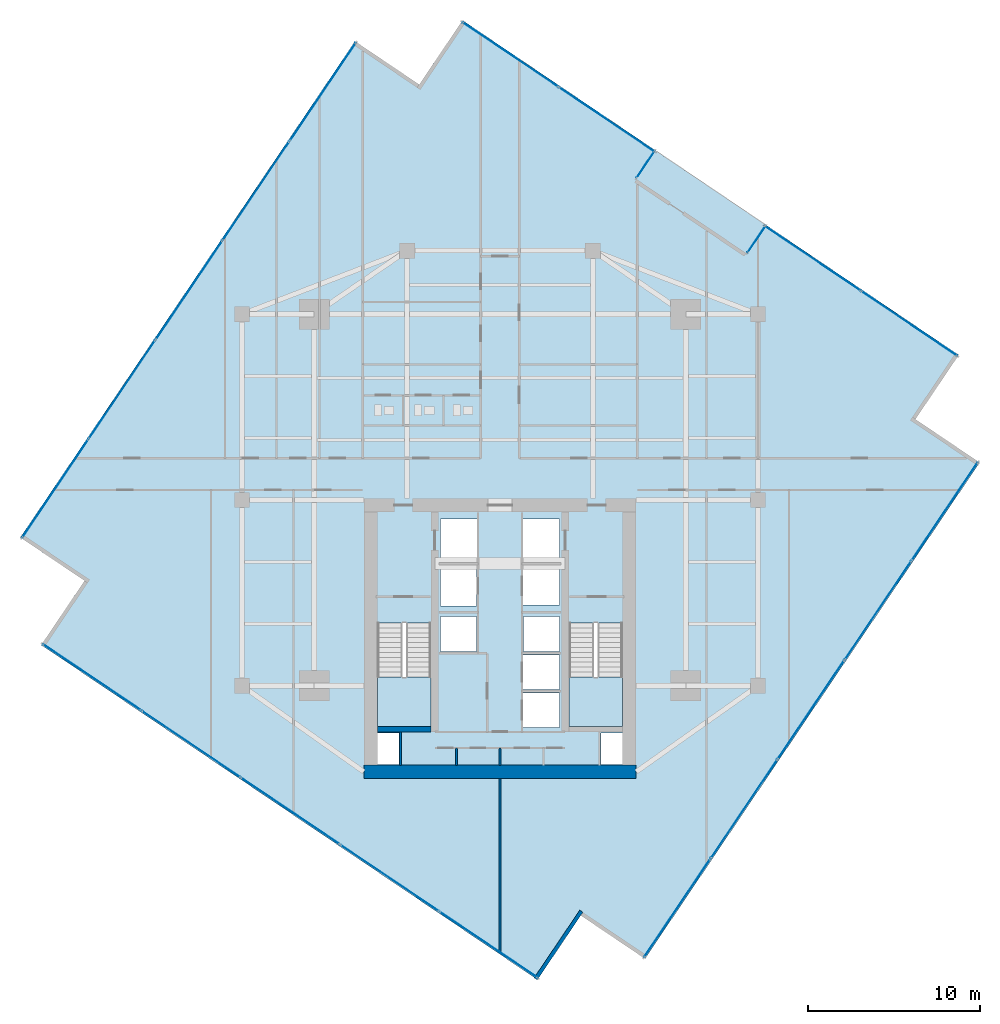
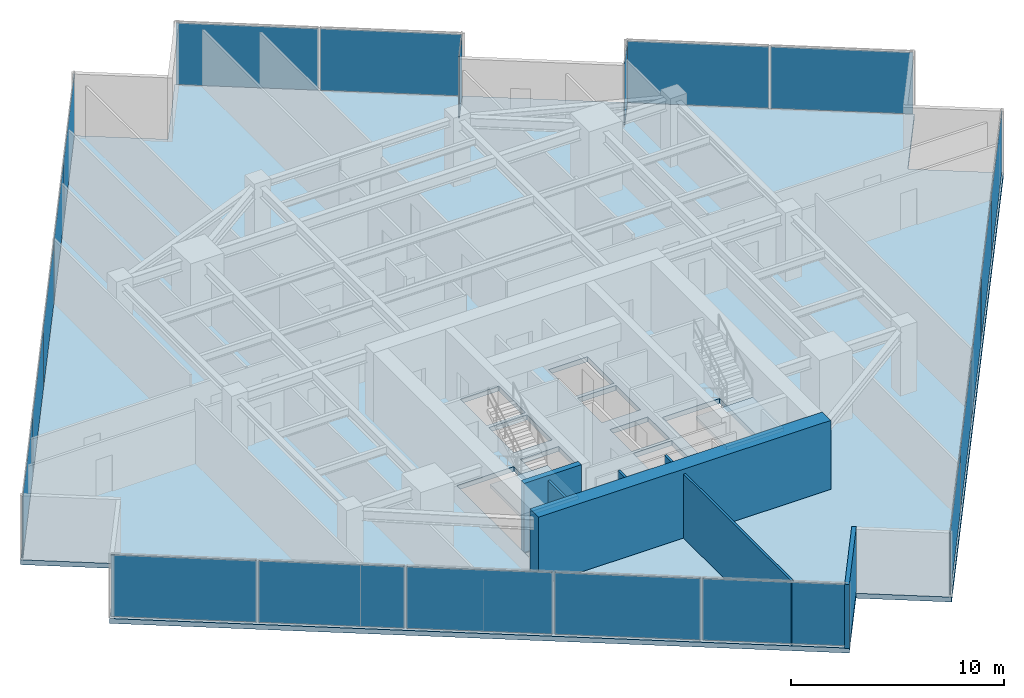
# One storey, part 22 of 27: 21 plates, 7 walls, 3 slabs, 9 elements without a shape of their own.
"""IFC4 building model written with IfcOpenShell, lengths in metres."""

from ifc_helpers import new_model, si_unit, direction, frame, frame_2d, origin, origin_2d, place, context, subcontext, project, spatial, polyline, rectangle, outline, extrude, source, transform, mapped, material, layer, layer_set, type_object, type_shapes, element, aggregate, save


model = new_model("IFC4")

# Units and contexts
model_context = context("Model", 3, precision=1e-05, world=origin(), true_north=direction((0.0, 1.0)))
body_context = subcontext(model_context, "Body", "Model", "MODEL_VIEW")
ifc_project = project(units=[si_unit("LENGTHUNIT", "METRE"), si_unit("AREAUNIT", "SQUARE_METRE"), si_unit("VOLUMEUNIT", "CUBIC_METRE"), si_unit("PLANEANGLEUNIT", "RADIAN"), si_unit("MASSUNIT", "GRAM", prefix="KILO")], contexts=[model_context])

# Site, building, storey
site_placement = place(None, origin())
site = spatial("IfcSite", under=ifc_project, at=site_placement, CompositionType="ELEMENT")
building_placement = place(site_placement, origin())
building = spatial("IfcBuilding", under=site, at=building_placement, Name="Krantzveldt Concourse Tower", CompositionType="ELEMENT")
storey_placement = place(building_placement, frame((0.0, 0.0, 189.64990234375)))
storey = spatial("IfcBuildingStorey", under=building, at=storey_placement, Name="L46", CompositionType="ELEMENT", Elevation=189.64990234375)

# Stair, slab
ifc_material_1 = material(Name="Precast concrete C40/50", Category="concrete")
stair_type = type_object("IfcStairType", Name="STR-CORE-DOGLEG", PredefinedType="HALF_TURN_STAIR", material=ifc_material_1)
stair_1_placement = place(storey_placement, origin())
stair_1 = element("IfcStair", 1, at=stair_1_placement, inside=storey, type_object=stair_type, Name="L46 Protected Escape Stair ST-1", PredefinedType="HALF_TURN_STAIR")
ifc_layer_1 = layer(ifc_material_1, 0.199951171875, Name="Precast concrete C40/50", Category="concrete")
ifc_layer_set_1 = layer_set([ifc_layer_1], Name="Precast concrete C40/50 (SL-LANDING-200)")
slab_type_1 = type_object("IfcSlabType", Name="SL-LANDING-200", PredefinedType="LANDING", material=ifc_layer_set_1)
slab_1_placement = place(storey_placement, frame((0.0, 0.0, 1.775146484375)))
slab_1 = element("IfcSlab", 2, at=slab_1_placement, type_object=slab_type_1, Name="ST-1 landing 1", PredefinedType="LANDING", context=body_context, shape_type="SweptSolid", body=[
    extrude(outline(polyline([(28.8798828125, 16.4150390625), (28.8798828125, 13.52001953125), (31.97998046875, 13.52001953125), (31.97998046875, 16.4150390625), (28.8798828125, 16.4150390625)])), origin(), (0.0, 0.0, 1.0), 0.199951171875),
])
aggregate(stair_1, [slab_1])

stair_2_placement = place(storey_placement, origin())
stair_2 = element("IfcStair", 3, at=stair_2_placement, inside=storey, type_object=stair_type, Name="L46 Protected Escape Stair ST-2", PredefinedType="HALF_TURN_STAIR")
slab_2_placement = place(storey_placement, frame((0.0, 0.0, 1.775146484375)))
slab_2 = element("IfcSlab", 4, at=slab_2_placement, type_object=slab_type_1, Name="ST-2 landing 1", PredefinedType="LANDING", context=body_context, shape_type="SweptSolid", body=[
    extrude(outline(polyline([(40.02001953125, 16.4150390625), (40.02001953125, 13.52001953125), (43.1201171875, 13.52001953125), (43.1201171875, 16.4150390625), (40.02001953125, 16.4150390625)])), origin(), (0.0, 0.0, 1.0), 0.199951171875),
])
aggregate(stair_2, [slab_2])

# Slab
ifc_material_2 = material(Name="Concrete C40/50", Category="concrete")
ifc_layer_2 = layer(ifc_material_2, 0.280029296875, Name="Concrete C40/50", Category="concrete")
ifc_layer_set_2 = layer_set([ifc_layer_2], Name="Concrete C40/50 (SL-SL-TER280)")
slab_type_2 = type_object("IfcSlabType", Name="SL-SL-TER280", PredefinedType="FLOOR", material=ifc_layer_set_2)
slab_3_placement = place(storey_placement, frame((0.0, 0.0, -0.27978515625)))
element("IfcSlab", 5, at=slab_3_placement, inside=storey, type_object=slab_type_2, Name="SL-L46-MAIN", PredefinedType="FLOOR", context=body_context, shape_type="SweptSolid", body=[
    extrude(outline(polyline([(31.3046875, 50.855224609375), (27.573974609375, 53.37158203125), (8.114013671875, 24.52099609375), (11.8447265625, 22.004638671875), (9.328369140625, 18.27392578125), (38.178955078125, -1.185791015625), (40.6953125, 2.544677734375), (44.426025390625, 0.0283203125), (63.885986328125, 28.87890625), (60.1552734375, 31.395263671875), (62.671630859375, 35.1259765625), (33.821044921875, 54.5859375), (31.3046875, 50.855224609375)]), holes=[polyline([(28.8798828125, 19.547607421875), (28.8798828125, 13.52001953125), (31.97998046875, 13.52001953125), (31.97998046875, 19.547607421875), (28.8798828125, 19.547607421875)]), polyline([(40.02001953125, 19.547607421875), (40.02001953125, 13.52001953125), (43.1201171875, 13.52001953125), (43.1201171875, 19.547607421875), (40.02001953125, 19.547607421875)]), polyline([(32.550048828125, 23.10009765625), (34.64990234375, 23.10009765625), (34.64990234375, 25.60009765625), (32.550048828125, 25.60009765625), (32.550048828125, 23.10009765625)]), polyline([(37.35009765625, 23.10009765625), (39.449951171875, 23.10009765625), (39.449951171875, 25.60009765625), (37.35009765625, 25.60009765625), (37.35009765625, 23.10009765625)]), polyline([(37.35009765625, 20.60009765625), (39.449951171875, 20.60009765625), (39.449951171875, 22.89990234375), (37.35009765625, 22.89990234375), (37.35009765625, 20.60009765625)]), polyline([(37.35009765625, 13.47998046875), (39.449951171875, 13.47998046875), (39.449951171875, 15.47998046875), (37.35009765625, 15.47998046875), (37.35009765625, 13.47998046875)]), polyline([(37.35009765625, 15.679931640625), (39.449951171875, 15.679931640625), (39.449951171875, 17.679931640625), (37.35009765625, 17.679931640625), (37.35009765625, 15.679931640625)]), polyline([(32.550048828125, 20.550048828125), (34.6201171875, 20.550048828125), (34.6201171875, 22.89990234375), (32.550048828125, 22.89990234375), (32.550048828125, 20.550048828125)]), polyline([(32.550048828125, 17.8798828125), (34.6201171875, 17.8798828125), (34.6201171875, 19.919921875), (32.550048828125, 19.919921875), (32.550048828125, 17.8798828125)]), polyline([(37.3798828125, 17.8798828125), (39.449951171875, 17.8798828125), (39.449951171875, 19.919921875), (37.3798828125, 19.919921875), (37.3798828125, 17.8798828125)]), polyline([(28.8798828125, 11.320068359375), (30.139892578125, 11.320068359375), (30.139892578125, 13.159912109375), (28.8798828125, 13.159912109375), (28.8798828125, 11.320068359375)]), polyline([(41.860107421875, 11.320068359375), (43.1201171875, 11.320068359375), (43.1201171875, 13.159912109375), (41.860107421875, 13.159912109375), (41.860107421875, 11.320068359375)])]), origin(), (0.0, 0.0, 1.0), 0.27978515625),
])

# Curtain wall, plate
ifc_material_3 = material(Name="Anodised aluminium 6063-T6", Category="aluminium")
curtain_wall_type_1 = type_object("IfcCurtainWallType", Name="CW6", PredefinedType="USERDEFINED", material=ifc_material_3)
curtain_wall_1_placement = place(storey_placement, origin())
curtain_wall_1 = element("IfcCurtainWall", 6, at=curtain_wall_1_placement, inside=storey, type_object=curtain_wall_type_1, Name="CW-L46-TR11", ObjectType="UNITISED CURTAIN WALL", PredefinedType="USERDEFINED")
ifc_material_4 = material(Name="Bronze-tinted laminated low-E IGU glass", Category="glass")
ifc_layer_3 = layer(ifc_material_4, 0.031982421875, Name="Bronze-tinted laminated low-E IGU glass", Category="glass")
ifc_layer_set_3 = layer_set([ifc_layer_3], Name="Bronze-tinted laminated low-E IGU glass (CW-GLZ-32)")
plate_type = type_object("IfcPlateType", Name="CW-GLZ-32", PredefinedType="CURTAIN_PANEL", material=ifc_layer_set_3)
shared_shape_1 = source(origin(), body_context, "Body", "SweptSolid", [
    extrude(rectangle(XDim=1.860107421875, YDim=0.031982421875, at=origin_2d()), origin(), (0.0, 0.0, 1.0), 3.530029296875),
])
plate_1_placement = place(storey_placement, frame((50.912109375, 41.8515625, 0.0703125), z_axis=(0.0, 0.0, 1.0), x_axis=(-0.559193219078, -0.829037359675, 0.0)))
plate_1 = element("IfcPlate", 7, at=plate_1_placement, type_object=plate_type, Name="CW-TERR panel 1.1", PredefinedType="CURTAIN_PANEL", context=body_context, shape_type="MappedRepresentation", body=[
    mapped(shared_shape_1, transform((0.0, 0.0, 0.0), x_axis=(1.0, 0.0, 0.0), y_axis=(0.0, 1.0, 0.0), z_axis=(0.0, 0.0, 1.0), scale=1.0)),
])
aggregate(curtain_wall_1, [plate_1])

curtain_wall_2_placement = place(storey_placement, origin())
curtain_wall_2 = element("IfcCurtainWall", 8, at=curtain_wall_2_placement, inside=storey, type_object=curtain_wall_type_1, Name="CW-L46-TR13", ObjectType="UNITISED CURTAIN WALL", PredefinedType="USERDEFINED")
plate_2_placement = place(storey_placement, frame((44.462158203125, 46.2021484375, 0.0703125), z_axis=(0.0, 0.0, 1.0), x_axis=(0.559189782554, 0.829039677631, 0.0)))
plate_2 = element("IfcPlate", 9, at=plate_2_placement, type_object=plate_type, Name="CW-TERR panel 1.1", PredefinedType="CURTAIN_PANEL", context=body_context, shape_type="MappedRepresentation", body=[
    mapped(shared_shape_1, transform((0.0, 0.0, 0.0), x_axis=(1.0, 0.0, 0.0), y_axis=(0.0, 1.0, 0.0), z_axis=(0.0, 0.0, 1.0), scale=1.0)),
])
aggregate(curtain_wall_2, [plate_2])

# Curtain wall, plates
curtain_wall_type_2 = type_object("IfcCurtainWallType", Name="CW3", PredefinedType="USERDEFINED", material=ifc_material_3)
curtain_wall_3_placement = place(storey_placement, origin())
curtain_wall_3 = element("IfcCurtainWall", 10, at=curtain_wall_3_placement, inside=storey, type_object=curtain_wall_type_2, Name="CW-L46-F01", ObjectType="UNITISED CURTAIN WALL", PredefinedType="USERDEFINED")
shared_shape_2 = source(origin(), body_context, "Body", "SweptSolid", [
    extrude(rectangle(XDim=6.85498046875, YDim=0.031982421875, at=origin_2d()), origin(), (0.0, 0.0, 1.0), 3.530029296875),
])
plate_3_placement = place(storey_placement, frame((25.69287109375, 50.421630859375, 0.0703125), z_axis=(0.0, 0.0, 1.0), x_axis=(-0.559192810447, -0.829037635301, 0.0)))
plate_3 = element("IfcPlate", 11, at=plate_3_placement, type_object=plate_type, Name="CW-Z34 panel 1.1", PredefinedType="CURTAIN_PANEL", context=body_context, shape_type="MappedRepresentation", body=[
    mapped(shared_shape_2, transform((0.0, 0.0, 0.0), x_axis=(1.0, 0.0, 0.0), y_axis=(0.0, 1.0, 0.0), z_axis=(0.0, 0.0, 1.0), scale=1.0)),
])
plate_4_placement = place(storey_placement, frame((10.14453125, 27.370361328125, 0.0703125), z_axis=(0.0, 0.0, 1.0), x_axis=(-0.559192810447, -0.829037635301, 0.0)))
plate_4 = element("IfcPlate", 12, at=plate_4_placement, type_object=plate_type, Name="CW-Z34 panel 5.1", PredefinedType="CURTAIN_PANEL", context=body_context, shape_type="MappedRepresentation", body=[
    mapped(shared_shape_2, transform((0.0, 0.0, 0.0), x_axis=(1.0, 0.0, 0.0), y_axis=(0.0, 1.0, 0.0), z_axis=(0.0, 0.0, 1.0), scale=1.0)),
])

curtain_wall_4_placement = place(storey_placement, origin())
curtain_wall_4 = element("IfcCurtainWall", 13, at=curtain_wall_4_placement, inside=storey, type_object=curtain_wall_type_2, Name="CW-L46-F04", ObjectType="UNITISED CURTAIN WALL", PredefinedType="USERDEFINED")
plate_5_placement = place(storey_placement, frame((12.2783203125, 16.392822265625, 0.0703125), z_axis=(0.0, 0.0, 1.0), x_axis=(0.829037635301, -0.559192810447, 0.0)))
plate_5 = element("IfcPlate", 14, at=plate_5_placement, type_object=plate_type, Name="CW-Z34 panel 1.1", PredefinedType="CURTAIN_PANEL", context=body_context, shape_type="MappedRepresentation", body=[
    mapped(shared_shape_2, transform((0.0, 0.0, 0.0), x_axis=(1.0, 0.0, 0.0), y_axis=(0.0, 1.0, 0.0), z_axis=(0.0, 0.0, 1.0), scale=1.0)),
])
plate_6_placement = place(storey_placement, frame((35.32958984375, 0.844482421875, 0.0703125), z_axis=(0.0, 0.0, 1.0), x_axis=(0.829037635301, -0.559192810447, 0.0)))
plate_6 = element("IfcPlate", 15, at=plate_6_placement, type_object=plate_type, Name="CW-Z34 panel 5.1", PredefinedType="CURTAIN_PANEL", context=body_context, shape_type="MappedRepresentation", body=[
    mapped(shared_shape_2, transform((0.0, 0.0, 0.0), x_axis=(1.0, 0.0, 0.0), y_axis=(0.0, 1.0, 0.0), z_axis=(0.0, 0.0, 1.0), scale=1.0)),
])

curtain_wall_5_placement = place(storey_placement, origin())
curtain_wall_5 = element("IfcCurtainWall", 16, at=curtain_wall_5_placement, inside=storey, type_object=curtain_wall_type_2, Name="CW-L46-F07", ObjectType="UNITISED CURTAIN WALL", PredefinedType="USERDEFINED")
plate_7_placement = place(storey_placement, frame((46.30712890625, 2.978271484375, 0.0703125), z_axis=(0.0, 0.0, 1.0), x_axis=(0.559192810447, 0.829037635301, 0.0)))
plate_7 = element("IfcPlate", 17, at=plate_7_placement, type_object=plate_type, Name="CW-Z34 panel 1.1", PredefinedType="CURTAIN_PANEL", context=body_context, shape_type="MappedRepresentation", body=[
    mapped(shared_shape_2, transform((0.0, 0.0, 0.0), x_axis=(1.0, 0.0, 0.0), y_axis=(0.0, 1.0, 0.0), z_axis=(0.0, 0.0, 1.0), scale=1.0)),
])
plate_8_placement = place(storey_placement, frame((61.85546875, 26.02978515625, 0.0703125), z_axis=(0.0, 0.0, 1.0), x_axis=(0.559192810447, 0.829037635301, 0.0)))
plate_8 = element("IfcPlate", 18, at=plate_8_placement, type_object=plate_type, Name="CW-Z34 panel 5.1", PredefinedType="CURTAIN_PANEL", context=body_context, shape_type="MappedRepresentation", body=[
    mapped(shared_shape_2, transform((0.0, 0.0, 0.0), x_axis=(1.0, 0.0, 0.0), y_axis=(0.0, 1.0, 0.0), z_axis=(0.0, 0.0, 1.0), scale=1.0)),
])

# Plate
shared_shape_3 = source(origin(), body_context, "Body", "SweptSolid", [
    extrude(rectangle(XDim=6.889892578125, YDim=0.031982421875, at=origin_2d()), origin(), (0.0, 0.0, 1.0), 3.530029296875),
])
plate_9_placement = place(storey_placement, frame((21.810546875, 44.666015625, 0.0703125), z_axis=(0.0, 0.0, 1.0), x_axis=(-0.559192810447, -0.829037635301, 0.0)))
plate_9 = element("IfcPlate", 19, at=plate_9_placement, type_object=plate_type, Name="CW-Z34 panel 2.1", PredefinedType="CURTAIN_PANEL", context=body_context, shape_type="MappedRepresentation", body=[
    mapped(shared_shape_3, transform((0.0, 0.0, 0.0), x_axis=(1.0, 0.0, 0.0), y_axis=(0.0, 1.0, 0.0), z_axis=(0.0, 0.0, 1.0), scale=1.0)),
])

plate_10_placement = place(storey_placement, frame((17.918701171875, 38.89599609375, 0.0703125), z_axis=(0.0, 0.0, 1.0), x_axis=(-0.559192810447, -0.829037635301, 0.0)))
plate_10 = element("IfcPlate", 20, at=plate_10_placement, type_object=plate_type, Name="CW-Z34 panel 3.1", PredefinedType="CURTAIN_PANEL", context=body_context, shape_type="MappedRepresentation", body=[
    mapped(shared_shape_3, transform((0.0, 0.0, 0.0), x_axis=(1.0, 0.0, 0.0), y_axis=(0.0, 1.0, 0.0), z_axis=(0.0, 0.0, 1.0), scale=1.0)),
])

plate_11_placement = place(storey_placement, frame((14.026611328125, 33.1259765625, 0.0703125), z_axis=(0.0, 0.0, 1.0), x_axis=(-0.559192810447, -0.829037635301, 0.0)))
plate_11 = element("IfcPlate", 21, at=plate_11_placement, type_object=plate_type, Name="CW-Z34 panel 4.1", PredefinedType="CURTAIN_PANEL", context=body_context, shape_type="MappedRepresentation", body=[
    mapped(shared_shape_3, transform((0.0, 0.0, 0.0), x_axis=(1.0, 0.0, 0.0), y_axis=(0.0, 1.0, 0.0), z_axis=(0.0, 0.0, 1.0), scale=1.0)),
])

aggregate(curtain_wall_3, [plate_3, plate_9, plate_10, plate_11, plate_4])

plate_12_placement = place(storey_placement, frame((18.033935546875, 12.5107421875, 0.0703125), z_axis=(0.0, 0.0, 1.0), x_axis=(0.829037635301, -0.559192810447, 0.0)))
plate_12 = element("IfcPlate", 22, at=plate_12_placement, type_object=plate_type, Name="CW-Z34 panel 2.1", PredefinedType="CURTAIN_PANEL", context=body_context, shape_type="MappedRepresentation", body=[
    mapped(shared_shape_3, transform((0.0, 0.0, 0.0), x_axis=(1.0, 0.0, 0.0), y_axis=(0.0, 1.0, 0.0), z_axis=(0.0, 0.0, 1.0), scale=1.0)),
])

plate_13_placement = place(storey_placement, frame((23.803955078125, 8.61865234375, 0.0703125), z_axis=(0.0, 0.0, 1.0), x_axis=(0.829037635301, -0.559192810447, 0.0)))
plate_13 = element("IfcPlate", 23, at=plate_13_placement, type_object=plate_type, Name="CW-Z34 panel 3.1", PredefinedType="CURTAIN_PANEL", context=body_context, shape_type="MappedRepresentation", body=[
    mapped(shared_shape_3, transform((0.0, 0.0, 0.0), x_axis=(1.0, 0.0, 0.0), y_axis=(0.0, 1.0, 0.0), z_axis=(0.0, 0.0, 1.0), scale=1.0)),
])

plate_14_placement = place(storey_placement, frame((29.57421875, 4.726806640625, 0.0703125), z_axis=(0.0, 0.0, 1.0), x_axis=(0.829037635301, -0.559192810447, 0.0)))
plate_14 = element("IfcPlate", 24, at=plate_14_placement, type_object=plate_type, Name="CW-Z34 panel 4.1", PredefinedType="CURTAIN_PANEL", context=body_context, shape_type="MappedRepresentation", body=[
    mapped(shared_shape_3, transform((0.0, 0.0, 0.0), x_axis=(1.0, 0.0, 0.0), y_axis=(0.0, 1.0, 0.0), z_axis=(0.0, 0.0, 1.0), scale=1.0)),
])

aggregate(curtain_wall_4, [plate_5, plate_12, plate_13, plate_14, plate_6])

plate_15_placement = place(storey_placement, frame((50.189453125, 8.73388671875, 0.0703125), z_axis=(0.0, 0.0, 1.0), x_axis=(0.559192810447, 0.829037635301, 0.0)))
plate_15 = element("IfcPlate", 25, at=plate_15_placement, type_object=plate_type, Name="CW-Z34 panel 2.1", PredefinedType="CURTAIN_PANEL", context=body_context, shape_type="MappedRepresentation", body=[
    mapped(shared_shape_3, transform((0.0, 0.0, 0.0), x_axis=(1.0, 0.0, 0.0), y_axis=(0.0, 1.0, 0.0), z_axis=(0.0, 0.0, 1.0), scale=1.0)),
])

plate_16_placement = place(storey_placement, frame((54.081298828125, 14.50390625, 0.0703125), z_axis=(0.0, 0.0, 1.0), x_axis=(0.559192810447, 0.829037635301, 0.0)))
plate_16 = element("IfcPlate", 26, at=plate_16_placement, type_object=plate_type, Name="CW-Z34 panel 3.1", PredefinedType="CURTAIN_PANEL", context=body_context, shape_type="MappedRepresentation", body=[
    mapped(shared_shape_3, transform((0.0, 0.0, 0.0), x_axis=(1.0, 0.0, 0.0), y_axis=(0.0, 1.0, 0.0), z_axis=(0.0, 0.0, 1.0), scale=1.0)),
])

plate_17_placement = place(storey_placement, frame((57.973388671875, 20.274169921875, 0.0703125), z_axis=(0.0, 0.0, 1.0), x_axis=(0.559192810447, 0.829037635301, 0.0)))
plate_17 = element("IfcPlate", 27, at=plate_17_placement, type_object=plate_type, Name="CW-Z34 panel 4.1", PredefinedType="CURTAIN_PANEL", context=body_context, shape_type="MappedRepresentation", body=[
    mapped(shared_shape_3, transform((0.0, 0.0, 0.0), x_axis=(1.0, 0.0, 0.0), y_axis=(0.0, 1.0, 0.0), z_axis=(0.0, 0.0, 1.0), scale=1.0)),
])

aggregate(curtain_wall_5, [plate_7, plate_15, plate_16, plate_17, plate_8])

# Curtain wall, plates
curtain_wall_6_placement = place(storey_placement, origin())
curtain_wall_6 = element("IfcCurtainWall", 28, at=curtain_wall_6_placement, inside=storey, type_object=curtain_wall_type_2, Name="CW-L46-F10", ObjectType="UNITISED CURTAIN WALL", PredefinedType="USERDEFINED")
shared_shape_4 = source(origin(), body_context, "Body", "SweptSolid", [
    extrude(rectangle(XDim=6.695068359375, YDim=0.031982421875, at=origin_2d()), origin(), (0.0, 0.0, 1.0), 3.530029296875),
])
type_shapes(plate_type, [shared_shape_1, shared_shape_2, shared_shape_3, shared_shape_4])
plate_18_placement = place(storey_placement, frame((59.7880859375, 36.96240234375, 0.0703125), z_axis=(0.0, 0.0, 1.0), x_axis=(-0.829037668737, 0.559192760874, 0.0)))
plate_18 = element("IfcPlate", 29, at=plate_18_placement, type_object=plate_type, Name="CW-Z34 panel 1.1", PredefinedType="CURTAIN_PANEL", context=body_context, shape_type="MappedRepresentation", body=[
    mapped(shared_shape_4, transform((0.0, 0.0, 0.0), x_axis=(1.0, 0.0, 0.0), y_axis=(0.0, 1.0, 0.0), z_axis=(0.0, 0.0, 1.0), scale=1.0)),
])
plate_19_placement = place(storey_placement, frame((54.1796875, 40.745361328125, 0.0703125), z_axis=(0.0, 0.0, 1.0), x_axis=(-0.829037668737, 0.559192760874, 0.0)))
plate_19 = element("IfcPlate", 30, at=plate_19_placement, type_object=plate_type, Name="CW-Z34 panel 2.1", PredefinedType="CURTAIN_PANEL", context=body_context, shape_type="MappedRepresentation", body=[
    mapped(shared_shape_4, transform((0.0, 0.0, 0.0), x_axis=(1.0, 0.0, 0.0), y_axis=(0.0, 1.0, 0.0), z_axis=(0.0, 0.0, 1.0), scale=1.0)),
])
aggregate(curtain_wall_6, [plate_18, plate_19])

curtain_wall_7_placement = place(storey_placement, origin())
curtain_wall_7 = element("IfcCurtainWall", 31, at=curtain_wall_7_placement, inside=storey, type_object=curtain_wall_type_2, Name="CW-L46-F14", ObjectType="UNITISED CURTAIN WALL", PredefinedType="USERDEFINED")
plate_20_placement = place(storey_placement, frame((42.21240234375, 48.8173828125, 0.0703125), z_axis=(0.0, 0.0, 1.0), x_axis=(-0.829037668737, 0.559192760874, 0.0)))
plate_20 = element("IfcPlate", 32, at=plate_20_placement, type_object=plate_type, Name="CW-Z34 panel 1.1", PredefinedType="CURTAIN_PANEL", context=body_context, shape_type="MappedRepresentation", body=[
    mapped(shared_shape_4, transform((0.0, 0.0, 0.0), x_axis=(1.0, 0.0, 0.0), y_axis=(0.0, 1.0, 0.0), z_axis=(0.0, 0.0, 1.0), scale=1.0)),
])
plate_21_placement = place(storey_placement, frame((36.60400390625, 52.600341796875, 0.0703125), z_axis=(0.0, 0.0, 1.0), x_axis=(-0.829037668737, 0.559192760874, 0.0)))
plate_21 = element("IfcPlate", 33, at=plate_21_placement, type_object=plate_type, Name="CW-Z34 panel 2.1", PredefinedType="CURTAIN_PANEL", context=body_context, shape_type="MappedRepresentation", body=[
    mapped(shared_shape_4, transform((0.0, 0.0, 0.0), x_axis=(1.0, 0.0, 0.0), y_axis=(0.0, 1.0, 0.0), z_axis=(0.0, 0.0, 1.0), scale=1.0)),
])
aggregate(curtain_wall_7, [plate_20, plate_21])

# Walls
ifc_layer_4 = layer(ifc_material_3, 0.219970703125, Name="Anodised aluminium 6063-T6", Category="aluminium")
ifc_layer_set_4 = layer_set([ifc_layer_4], Name="Anodised aluminium 6063-T6 (WL-EXT-NOTCH220)")
wall_type_1 = type_object("IfcWallType", Name="WL-EXT-NOTCH220", PredefinedType="ELEMENTEDWALL", material=ifc_layer_set_4)
wall_1_placement = place(storey_placement, frame((38.07373046875, -1.14501953125, 0.0), z_axis=(0.0, 0.0, 1.0), x_axis=(0.559204176839, 0.829029968461, 0.0)))
element("IfcWall", 34, at=wall_1_placement, inside=storey, type_object=wall_type_1, Name="EW-L46-NCH05", PredefinedType="ELEMENTEDWALL", context=body_context, shape_type="SweptSolid", body=[
    extrude(rectangle(XDim=4.744873046875, YDim=0.219970703125, at=frame_2d((2.37255859375, 0.0))), origin(), (0.0, 0.0, 1.0), 3.670166015625),
])
ifc_material_5 = material(Name="Fire-rated gypsum plasterboard on steel stud", Category="steel")
ifc_layer_5 = layer(ifc_material_5, 0.1201171875, Name="Fire-rated gypsum plasterboard on steel stud", Category="steel")
ifc_layer_set_5 = layer_set([ifc_layer_5], Name="Fire-rated gypsum plasterboard on steel stud (WL-PART-120)")
wall_type_2 = type_object("IfcWallType", Name="WL-PART-120", PredefinedType="PARTITIONING", material=ifc_layer_set_5)
for number, where, z_axis, x_axis, name in (
    (35, (33.469970703125, 11.25, 0.0), (0.0, 0.0, 1.0), (0.0, 1.0, 0.0), "WP-L46-CSD-V1"),
    (36, (36.0, 11.25, 0.0), (0.0, 0.0, 1.0), (0.0, 1.0, 0.0), "WP-L46-CSD-V2"),
):
    element("IfcWall", number, at=place(storey_placement, frame(where, z_axis=z_axis, x_axis=x_axis)), inside=storey, type_object=wall_type_2, Name=name, PredefinedType="PARTITIONING", context=body_context, shape_type="SweptSolid", body=[
        extrude(rectangle(XDim=1.030029296875, YDim=0.1201171875, at=frame_2d((0.51513671875, 0.0))), origin(), (0.0, 0.0, 1.0), 3.670166015625),
    ])
wall_2_placement = place(storey_placement, frame((36.0, 0.392333984375, 0.0), z_axis=(0.0, 0.0, 1.0), x_axis=(0.0, 1.0, 0.0)))
element("IfcWall", 37, at=wall_2_placement, inside=storey, type_object=wall_type_2, Name="WP-L46-SMID", PredefinedType="PARTITIONING", context=body_context, shape_type="SweptSolid", body=[
    extrude(rectangle(XDim=10.107666015625, YDim=0.1201171875, at=frame_2d((5.0537109375, 0.0))), origin(), (0.0, 0.0, 1.0), 3.670166015625),
])
ifc_layer_6 = layer(ifc_material_5, 0.139892578125, Name="Fire-rated gypsum plasterboard on steel stud", Category="steel")
ifc_layer_set_6 = layer_set([ifc_layer_6], Name="Fire-rated gypsum plasterboard on steel stud (WL-PART-FR140)")
wall_type_3 = type_object("IfcWallType", Name="WL-PART-FR140", PredefinedType="PARTITIONING", material=ifc_layer_set_6)
wall_3_placement = place(storey_placement, frame((30.219970703125, 11.25, 0.0), z_axis=(0.0, 0.0, 1.0), x_axis=(0.0, 1.0, 0.0)))
element("IfcWall", 38, at=wall_3_placement, inside=storey, type_object=wall_type_3, Name="WP-L46-RSW", PredefinedType="PARTITIONING", context=body_context, shape_type="SweptSolid", body=[
    extrude(rectangle(XDim=1.969970703125, YDim=0.1201171875, at=frame_2d((0.98486328125, 0.0))), origin(), (0.0, 0.0, 1.0), 3.670166015625),
])
ifc_material_6 = material(Name="Concrete C50/60", Category="concrete")
ifc_layer_7 = layer(ifc_material_6, 0.300048828125, Name="Concrete C50/60", Category="concrete")
ifc_layer_set_7 = layer_set([ifc_layer_7], Name="Concrete C50/60 (WL-SHEAR-300)")
wall_type_4 = type_object("IfcWallType", Name="WL-SHEAR-300", PredefinedType="SHEAR", material=ifc_layer_set_7)
wall_4_placement = place(storey_placement, frame((28.8798828125, 13.3701171875, 0.0), z_axis=(0.0, 0.0, 1.0), x_axis=(1.0, 0.0, 0.0)))
element("IfcWall", 39, at=wall_4_placement, inside=storey, type_object=wall_type_4, Name="CW-L46-ST1S", PredefinedType="SHEAR", context=body_context, shape_type="SweptSolid", body=[
    extrude(rectangle(XDim=3.10009765625, YDim=0.300048828125, at=frame_2d((1.550048828125, 0.0))), origin(), (0.0, 0.0, 1.0), 3.9501953125),
])
ifc_material_7 = material(Name="Concrete C60/75", Category="concrete")
ifc_layer_8 = layer(ifc_material_7, 0.800048828125, Name="Concrete C60/75", Category="concrete")
ifc_layer_set_8 = layer_set([ifc_layer_8], Name="Concrete C60/75 (WL-SHEAR-800)")
wall_type_5 = type_object("IfcWallType", Name="WL-SHEAR-800", PredefinedType="SHEAR", material=ifc_layer_set_8)
wall_5_placement = place(storey_placement, frame((28.080078125, 10.89990234375, 0.0), z_axis=(0.0, 0.0, 1.0), x_axis=(1.0, 0.0, 0.0)))
element("IfcWall", 40, at=wall_5_placement, inside=storey, type_object=wall_type_5, Name="CW-L46-S", PredefinedType="SHEAR", context=body_context, shape_type="SweptSolid", body=[
    extrude(rectangle(XDim=15.83984375, YDim=0.800048828125, at=frame_2d((7.919921875, 0.0))), origin(), (0.0, 0.0, 1.0), 3.9501953125),
])

save(model, "model.ifc")
